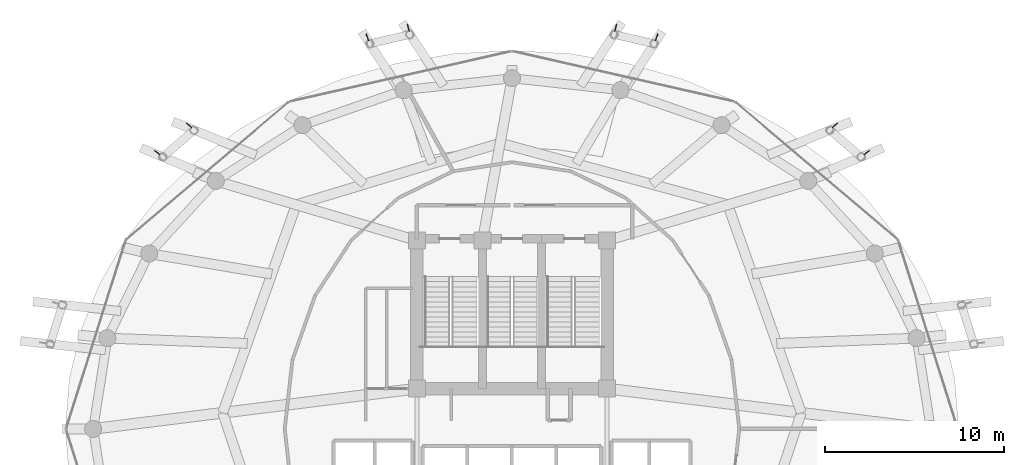
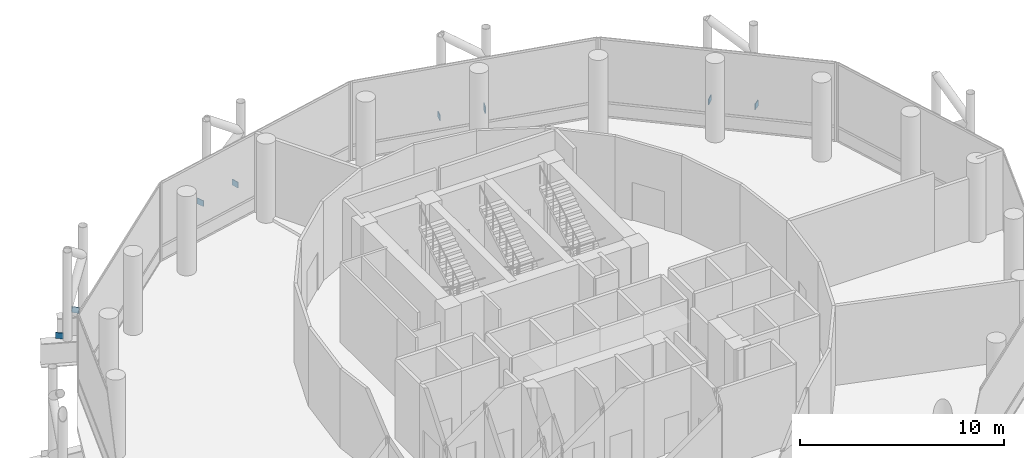
# One storey, part 27 of 29: 8 discrete accessories.
"""IFC4 building model written with IfcOpenShell, lengths in metres."""

from ifc_helpers import new_model, si_unit, direction, frame, origin, origin_2d, place, context, subcontext, project, spatial, rectangle, extrude, material, type_object, element, save


model = new_model("IFC4")

# Units and contexts
model_context = context("Model", 3, precision=1e-05, world=origin(), true_north=direction((0.0, 1.0)))
body_context = subcontext(model_context, "Body", "Model", "MODEL_VIEW")
ifc_project = project(units=[si_unit("LENGTHUNIT", "METRE"), si_unit("AREAUNIT", "SQUARE_METRE"), si_unit("VOLUMEUNIT", "CUBIC_METRE"), si_unit("PLANEANGLEUNIT", "RADIAN"), si_unit("MASSUNIT", "GRAM", prefix="KILO")], contexts=[model_context])

# Site, building, storey
site_placement = place(None, origin())
site = spatial("IfcSite", under=ifc_project, at=site_placement, CompositionType="ELEMENT")
building_placement = place(site_placement, origin())
building = spatial("IfcBuilding", under=site, at=building_placement, Name="Nuhasar Tower", CompositionType="ELEMENT")
storey_placement = place(building_placement, frame((0.0, 0.0, 113.25)))
storey = spatial("IfcBuildingStorey", under=building, at=storey_placement, Name="L26", CompositionType="ELEMENT", Elevation=113.25)

# Discrete accessories
ifc_material = material(Name="Steel S460", Category="steel")
discrete_accessory_type = type_object("IfcDiscreteAccessoryType", Name="ACC-GUS-40", PredefinedType="USERDEFINED", material=ifc_material)
for number, where, z_axis, x_axis, name in (
    (1, (58.77001953125, 42.195068359375, -0.320068359375), (0.0, 0.0, 1.0), (0.788998306749, 0.614395371034, 0.0), "L26 Exoskeleton Chord Column EC-02A Gusset Plate"),
    (2, (56.9990234375, 43.716064453125, -0.320068359375), (0.0, 0.0, 1.0), (0.728681821056, 0.684852395529, 0.0), "L26 Exoskeleton Chord Column EC-02B Gusset Plate"),
    (3, (47.05908203125, 48.631103515625, -0.320068359375), (0.0, 0.0, 1.0), (0.346313543819, 0.938118824759, 0.0), "L26 Exoskeleton Chord Column EC-03A Gusset Plate"),
    (4, (44.781005859375, 49.156982421875, -0.320068359375), (0.0, 0.0, 1.0), (0.250346209174, 0.968156379699, 0.0), "L26 Exoskeleton Chord Column EC-03B Gusset Plate"),
    (5, (33.218994140625, 49.156982421875, -0.320068359375), (0.0, 0.0, 1.0), (-0.250346209174, 0.968156379699, 0.0), "L26 Exoskeleton Chord Column EC-04A Gusset Plate"),
    (6, (30.94091796875, 48.631103515625, -0.320068359375), (0.0, 0.0, 1.0), (-0.346313543819, 0.938118824759, 0.0), "L26 Exoskeleton Chord Column EC-04B Gusset Plate"),
    (7, (21.0009765625, 43.716064453125, -0.320068359375), (0.0, 0.0, 1.0), (-0.728681821056, 0.684852395529, 0.0), "L26 Exoskeleton Chord Column EC-05A Gusset Plate"),
    (8, (19.22998046875, 42.195068359375, -0.320068359375), (0.0, 0.0, 1.0), (-0.788998306749, 0.614395371034, 0.0), "L26 Exoskeleton Chord Column EC-05B Gusset Plate"),
):
    element("IfcDiscreteAccessory", number, at=place(storey_placement, frame(where, z_axis=z_axis, x_axis=x_axis)), inside=storey, type_object=discrete_accessory_type, Name=name, ObjectType="STEEL_GUSSET_PLATE", PredefinedType="USERDEFINED", context=body_context, shape_type="SweptSolid", body=[
        extrude(rectangle(XDim=0.39990234375, YDim=0.0400390625, at=origin_2d()), origin(), (0.0, 0.0, 1.0), 0.35009765625),
    ])

save(model, "model.ifc")
